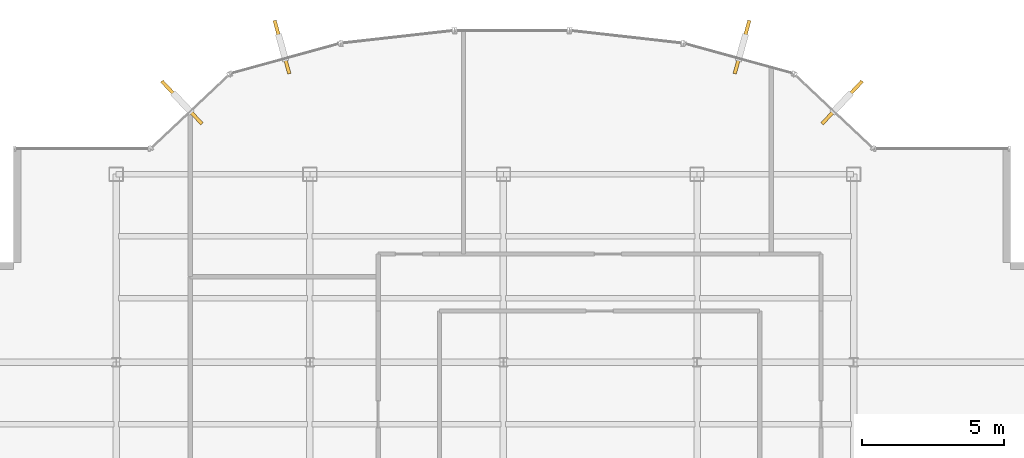
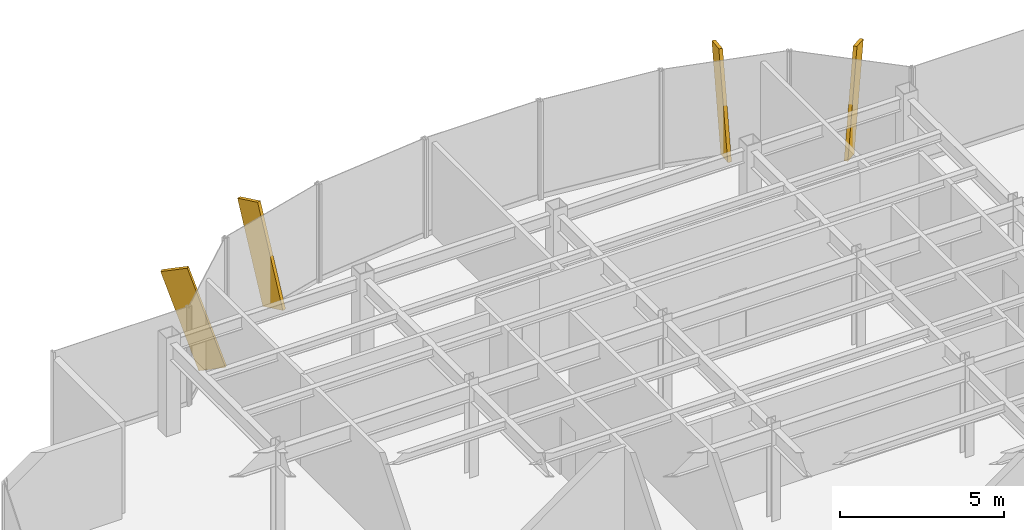
# One storey, part 21 of 22: 4 shading devices.
"""IFC4 building model written with IfcOpenShell, lengths in metres."""

from ifc_helpers import new_model, si_unit, derived_unit, direction, frame, origin, origin_2d, place, context, subcontext, project, spatial, rectangle, extrude, source, transform, mapped, material, type_object, element, save


model = new_model("IFC4")

# Units and contexts
model_context = context("Model", 3, precision=1e-05, world=origin(), true_north=direction((0.0, 1.0)))
body_context = subcontext(model_context, "Body", "Model", "MODEL_VIEW")
ifc_project = project(units=[si_unit("LENGTHUNIT", "METRE"), si_unit("AREAUNIT", "SQUARE_METRE"), si_unit("VOLUMEUNIT", "CUBIC_METRE"), si_unit("PLANEANGLEUNIT", "RADIAN"), si_unit("MASSUNIT", "GRAM", prefix="KILO"), derived_unit("THERMALTRANSMITTANCEUNIT", [(si_unit("POWERUNIT", "WATT"), 1), (si_unit("LENGTHUNIT", "METRE"), -2), (si_unit("THERMODYNAMICTEMPERATUREUNIT", "KELVIN"), -1)])], contexts=[model_context])

# Site, building, storey
site_placement = place(None, origin())
site = spatial("IfcSite", under=ifc_project, at=site_placement, CompositionType="ELEMENT")
building_placement = place(site_placement, origin())
building = spatial("IfcBuilding", under=site, at=building_placement, Name="Skarnbrae Concourse Arena and Tower", CompositionType="ELEMENT")
storey_placement = place(building_placement, frame((0.0, 0.0, 269.75)))
storey = spatial("IfcBuildingStorey", under=building, at=storey_placement, Name="L70", CompositionType="ELEMENT", Elevation=269.75)

# Shading devices
ifc_material = material(Name="Bronze anodised aluminium 6063-T6", Category="aluminium")
shading_device_type = type_object("IfcShadingDeviceType", Name="SHD-BRONZE-FIN-900", PredefinedType="USERDEFINED", material=ifc_material)
shared_shape = source(origin(), body_context, "Body", "SweptSolid", [
    extrude(rectangle(XDim=0.1201171875, YDim=0.89990234375, at=origin_2d()), origin(), (0.0, 0.0, 1.0), 3.64990234375),
])
for number, where, z_axis, x_axis, name in (
    (1, (32.677978515625, 36.478759765625, 0.103271484375), (0.227224184045, 0.241377537722, 0.943454320287), (0.728131751529, -0.685437198009, 0.0), "L70 Outward-leaning bronze shading fin 08"),
    (2, (29.43603515625, 38.3466796875, 0.08154296875), (0.07852258794, 0.284919065414, 0.955329958363), (0.964058316208, -0.265690728011, 0.0), "L70 Outward-leaning bronze shading fin 09"),
    (3, (13.56396484375, 38.3466796875, 0.08154296875), (-0.07852258794, 0.284919065414, 0.955329958363), (0.964058316208, 0.265690728011, 0.0), "L70 Outward-leaning bronze shading fin 13"),
    (4, (10.322021484375, 36.478759765625, 0.103271484375), (-0.227224184045, 0.241377537722, 0.943454320287), (0.728131751529, 0.685437198009, 0.0), "L70 Outward-leaning bronze shading fin 14"),
):
    element("IfcShadingDevice", number, at=place(storey_placement, frame(where, z_axis=z_axis, x_axis=x_axis)), inside=storey, type_object=shading_device_type, Name=name, ObjectType="FIN", PredefinedType="USERDEFINED", context=body_context, shape_type="MappedRepresentation", body=[
        mapped(shared_shape, transform((0.0, 0.0, 0.0))),
    ])

save(model, "model.ifc")
